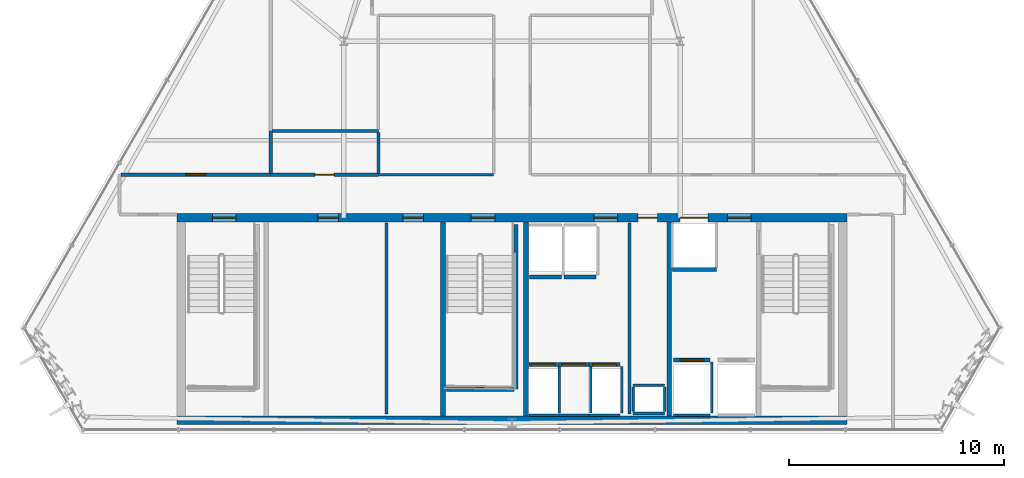
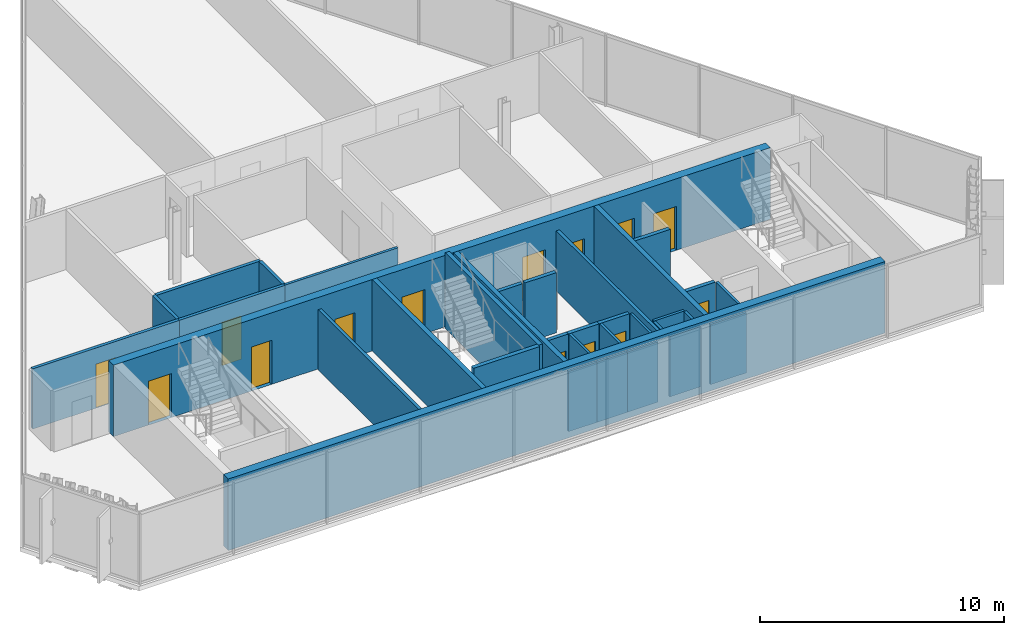
# One storey, part 29 of 34: 34 walls, 14 doors, 14 openings.
"""IFC4 building model written with IfcOpenShell, lengths in metres."""

from ifc_helpers import new_model, si_unit, direction, frame, frame_2d, origin, place, context, subcontext, project, spatial, rectangle, extrude, material, layer, layer_set, type_object, element, fill, save


model = new_model("IFC4")

# Units and contexts
model_context = context("Model", 3, precision=1e-05, world=origin(), true_north=direction((0.0, 1.0)))
body_context = subcontext(model_context, "Body", "Model", "MODEL_VIEW")
ifc_project = project(units=[si_unit("LENGTHUNIT", "METRE"), si_unit("AREAUNIT", "SQUARE_METRE"), si_unit("VOLUMEUNIT", "CUBIC_METRE"), si_unit("PLANEANGLEUNIT", "RADIAN"), si_unit("MASSUNIT", "GRAM", prefix="KILO")], contexts=[model_context])

# Site, building, storey
site_placement = place(None, origin())
site = spatial("IfcSite", under=ifc_project, at=site_placement, CompositionType="ELEMENT")
building_placement = place(site_placement, origin())
building = spatial("IfcBuilding", under=site, at=building_placement, Name="Ndaravel Arena Tower", CompositionType="ELEMENT")
storey_placement = place(building_placement, frame((0.0, 0.0, 267.39990234375)))
storey = spatial("IfcBuildingStorey", under=building, at=storey_placement, Name="L65", CompositionType="ELEMENT", Elevation=267.39990234375)

# Walls
ifc_material_1 = material(Name="Gypsum", Category="gypsum")
ifc_layer_1 = layer(ifc_material_1, 0.14990234375)
ifc_layer_set_1 = layer_set([ifc_layer_1], Name="Gypsum")
wall_type_1 = type_object("IfcWallType", Name="WALL-COMP-150", PredefinedType="PARTITIONING", material=ifc_layer_set_1)
for number, where, z_axis, x_axis, name in (
    (1, (47.449951171875, 5.89990234375, 0.0), (0.0, 0.0, 1.0), (0.0, 1.0, 0.0), "L65 Core Riser Bay Partition"),
    (2, (36.179931640625, 5.89990234375, 0.0), (0.0, 0.0, 1.0), (0.0, 1.0, 0.0), "L65 High-Zone Core Divider 1"),
):
    element("IfcWall", number, at=place(storey_placement, frame(where, z_axis=z_axis, x_axis=x_axis)), inside=storey, type_object=wall_type_1, Name=name, PredefinedType="PARTITIONING", context=body_context, shape_type="SweptSolid", body=[
        extrude(rectangle(XDim=8.85009765625, YDim=0.14990234375, at=frame_2d((4.425048828125, 0.0))), origin(), (0.0, 0.0, 1.0), 3.010498046875),
    ])
ifc_material_2 = material(Name="Concrete C50/60", Category="concrete")
ifc_layer_2 = layer(ifc_material_2, 0.219970703125)
ifc_layer_set_2 = layer_set([ifc_layer_2], Name="Concrete C50/60")
wall_type_2 = type_object("IfcWallType", Name="WALL-CORE-220", PredefinedType="SOLIDWALL", material=ifc_layer_set_2)
for number, where, z_axis, x_axis, name in (
    (3, (38.800048828125, 5.800048828125, 0.0), (0.0, 0.0, 1.0), (0.0, 1.0, 0.0), "L65 Core Web Shear Wall 2"),
    (4, (42.64990234375, 5.800048828125, 0.0), (0.0, 0.0, 1.0), (0.0, 1.0, 0.0), "L65 Core Web Shear Wall 3"),
    (5, (49.300048828125, 5.800048828125, 0.0), (0.0, 0.0, 1.0), (0.0, 1.0, 0.0), "L65 Core Web Shear Wall 4"),
):
    element("IfcWall", number, at=place(storey_placement, frame(where, z_axis=z_axis, x_axis=x_axis)), inside=storey, type_object=wall_type_2, Name=name, PredefinedType="SOLIDWALL", context=body_context, shape_type="SweptSolid", body=[
        extrude(rectangle(XDim=9.0, YDim=0.219970703125, at=frame_2d((4.5, 0.0))), origin(), (0.0, 0.0, 1.0), 3.580078125),
    ])

# Wall, openings, doors
ifc_material_3 = material(Name="Concrete C50/60", Category="concrete")
ifc_layer_3 = layer(ifc_material_3, 0.39990234375)
ifc_layer_set_3 = layer_set([ifc_layer_3], Name="Concrete C50/60")
wall_type_3 = type_object("IfcWallType", Name="WALL-CORE-400", PredefinedType="SOLIDWALL", material=ifc_layer_set_3)
wall_1_placement = place(storey_placement, frame((26.449951171875, 15.0, 0.0), z_axis=(0.0, 0.0, 1.0), x_axis=(1.0, 0.0, 0.0)))
wall_1 = element("IfcWall", 6, at=wall_1_placement, inside=storey, type_object=wall_type_3, Name="L65 Core North Shear Wall", PredefinedType="SOLIDWALL", context=body_context, shape_type="SweptSolid", body=[
    extrude(rectangle(XDim=31.10009765625, YDim=0.39990234375, at=frame_2d((15.550048828125, 0.0))), origin(), (0.0, 0.0, 1.0), 3.580078125),
])
opening_1_placement = place(wall_1_placement, frame((1.64990234375, 0.0, 0.0)))
opening_1 = element("IfcOpeningElement", 7, at=opening_1_placement, cuts=wall_1, Name="Opening FD-01", PredefinedType="OPENING", context=body_context, shape_type="SweptSolid", body=[
    extrude(rectangle(XDim=1.10009765625, YDim=2.199951171875, at=frame_2d((0.550048828125, 1.10009765625))), frame((0.0, 0.199951171875, 0.0), z_axis=(0.0, -1.0, 0.0), x_axis=(1.0, 0.0, 0.0)), (0.0, 0.0, 1.0), 0.39990234375),
])
opening_2_placement = place(wall_1_placement, frame((13.64990234375, 0.0, 0.0)))
opening_2 = element("IfcOpeningElement", 8, at=opening_2_placement, cuts=wall_1, Name="Opening FD-01", PredefinedType="OPENING", context=body_context, shape_type="SweptSolid", body=[
    extrude(rectangle(XDim=1.10009765625, YDim=2.199951171875, at=frame_2d((0.550048828125, 1.10009765625))), frame((0.0, 0.199951171875, 0.0), z_axis=(0.0, -1.0, 0.0), x_axis=(1.0, 0.0, 0.0)), (0.0, 0.0, 1.0), 0.39990234375),
])
opening_3_placement = place(wall_1_placement, frame((25.550048828125, 0.0, 0.0)))
opening_3 = element("IfcOpeningElement", 9, at=opening_3_placement, cuts=wall_1, Name="Opening FD-01", PredefinedType="OPENING", context=body_context, shape_type="SweptSolid", body=[
    extrude(rectangle(XDim=1.10009765625, YDim=2.199951171875, at=frame_2d((0.550048828125, 1.10009765625))), frame((0.0, 0.199951171875, 0.0), z_axis=(0.0, -1.0, 0.0), x_axis=(1.0, 0.0, 0.0)), (0.0, 0.0, 1.0), 0.39990234375),
])
opening_4_placement = place(wall_1_placement, frame((19.35009765625, 0.0, 0.0)))
opening_4 = element("IfcOpeningElement", 10, at=opening_4_placement, cuts=wall_1, Name="Opening FD-01", PredefinedType="OPENING", context=body_context, shape_type="SweptSolid", body=[
    extrude(rectangle(XDim=1.10009765625, YDim=2.199951171875, at=frame_2d((0.550048828125, 1.10009765625))), frame((0.0, 0.199951171875, 0.0), z_axis=(0.0, -1.0, 0.0), x_axis=(1.0, 0.0, 0.0)), (0.0, 0.0, 1.0), 0.39990234375),
])
opening_5_placement = place(wall_1_placement, frame((21.39990234375, 0.0, 0.0)))
opening_5 = element("IfcOpeningElement", 11, at=opening_5_placement, cuts=wall_1, Name="Opening RD-01", PredefinedType="OPENING", context=body_context, shape_type="SweptSolid", body=[
    extrude(rectangle(XDim=0.89990234375, YDim=2.10009765625, at=frame_2d((0.449951171875, 1.050048828125))), frame((0.0, 0.199951171875, 0.0), z_axis=(0.0, -1.0, 0.0), x_axis=(1.0, 0.0, 0.0)), (0.0, 0.0, 1.0), 0.39990234375),
])
opening_6_placement = place(wall_1_placement, frame((6.5400390625, 0.0, 0.0)))
opening_6 = element("IfcOpeningElement", 12, at=opening_6_placement, cuts=wall_1, Name="Opening FD-03", PredefinedType="OPENING", context=body_context, shape_type="SweptSolid", body=[
    extrude(rectangle(XDim=0.949951171875, YDim=2.199951171875, at=frame_2d((0.47509765625, 1.10009765625))), frame((0.0, 0.199951171875, 0.0), z_axis=(0.0, -1.0, 0.0), x_axis=(1.0, 0.0, 0.0)), (0.0, 0.0, 1.0), 0.39990234375),
])
opening_7_placement = place(wall_1_placement, frame((10.489990234375, 0.0, 0.0)))
opening_7 = element("IfcOpeningElement", 13, at=opening_7_placement, cuts=wall_1, Name="Opening FD-03", PredefinedType="OPENING", context=body_context, shape_type="SweptSolid", body=[
    extrude(rectangle(XDim=0.949951171875, YDim=2.199951171875, at=frame_2d((0.47509765625, 1.10009765625))), frame((0.0, 0.199951171875, 0.0), z_axis=(0.0, -1.0, 0.0), x_axis=(1.0, 0.0, 0.0)), (0.0, 0.0, 1.0), 0.39990234375),
])
opening_8_placement = place(wall_1_placement, frame((23.35009765625, 0.0, 0.0)))
opening_8 = element("IfcOpeningElement", 14, at=opening_8_placement, cuts=wall_1, Name="Opening LD-02", PredefinedType="OPENING", context=body_context, shape_type="SweptSolid", body=[
    extrude(rectangle(XDim=1.300048828125, YDim=2.300048828125, at=frame_2d((0.64990234375, 1.14990234375))), frame((0.0, 0.199951171875, 0.0), z_axis=(0.0, -1.0, 0.0), x_axis=(1.0, 0.0, 0.0)), (0.0, 0.0, 1.0), 0.39990234375),
])
ifc_material_4 = material(Name="Steel S355", Category="steel")
door_type_1 = type_object("IfcDoorType", Name="DT-01-STAIR-1100", OperationType="SINGLE_SWING_LEFT", PredefinedType="DOOR", material=ifc_material_4)
door_1_placement = place(opening_1_placement, origin())
door_1 = element("IfcDoor", 15, at=door_1_placement, inside=storey, type_object=door_type_1, Name="L65 Exit Stair ST-1 Door", OperationType="SINGLE_SWING_RIGHT", OverallHeight=2.199951171875, OverallWidth=1.10009765625, PredefinedType="DOOR", context=body_context, shape_type="SweptSolid", body=[
    extrude(rectangle(XDim=1.10009765625, YDim=2.199951171875, at=frame_2d((0.550048828125, 1.10009765625))), frame((0.0, 0.02490234375, 0.0), z_axis=(0.0, -1.0, 0.0), x_axis=(1.0, 0.0, 0.0)), (0.0, 0.0, 1.0), 0.050048828125),
])
fill(opening_1, door_1)
door_2_placement = place(opening_2_placement, origin())
door_2 = element("IfcDoor", 16, at=door_2_placement, inside=storey, type_object=door_type_1, Name="L65 Exit Stair ST-2 Door", OperationType="SINGLE_SWING_LEFT", OverallHeight=2.199951171875, OverallWidth=1.10009765625, PredefinedType="DOOR", context=body_context, shape_type="SweptSolid", body=[
    extrude(rectangle(XDim=1.10009765625, YDim=2.199951171875, at=frame_2d((0.550048828125, 1.10009765625))), frame((0.0, 0.02490234375, 0.0), z_axis=(0.0, -1.0, 0.0), x_axis=(1.0, 0.0, 0.0)), (0.0, 0.0, 1.0), 0.050048828125),
])
fill(opening_2, door_2)
door_3_placement = place(opening_3_placement, origin())
door_3 = element("IfcDoor", 17, at=door_3_placement, inside=storey, type_object=door_type_1, Name="L65 Firefighting Lift Lobby Door", OperationType="SINGLE_SWING_RIGHT", OverallHeight=2.199951171875, OverallWidth=1.10009765625, PredefinedType="DOOR", context=body_context, shape_type="SweptSolid", body=[
    extrude(rectangle(XDim=1.10009765625, YDim=2.199951171875, at=frame_2d((0.550048828125, 1.10009765625))), frame((0.0, 0.02490234375, 0.0), z_axis=(0.0, -1.0, 0.0), x_axis=(1.0, 0.0, 0.0)), (0.0, 0.0, 1.0), 0.050048828125),
])
fill(opening_3, door_3)
door_4_placement = place(opening_4_placement, origin())
door_4 = element("IfcDoor", 18, at=door_4_placement, inside=storey, type_object=door_type_1, Name="L65 Express Lift Lobby Entry Door", OperationType="SINGLE_SWING_LEFT", OverallHeight=2.199951171875, OverallWidth=1.10009765625, PredefinedType="DOOR", context=body_context, shape_type="SweptSolid", body=[
    extrude(rectangle(XDim=1.10009765625, YDim=2.199951171875, at=frame_2d((0.550048828125, 1.10009765625))), frame((0.0, 0.02490234375, 0.0), z_axis=(0.0, -1.0, 0.0), x_axis=(1.0, 0.0, 0.0)), (0.0, 0.0, 1.0), 0.050048828125),
])
fill(opening_4, door_4)
ifc_material_5 = material(Name="Steel S355", Category="steel")
door_type_2 = type_object("IfcDoorType", Name="DT-07-SVLIFT-1300", OperationType="DOUBLE_DOOR_SLIDING", PredefinedType="DOOR", material=ifc_material_5)
door_5_placement = place(opening_8_placement, origin())
door_5 = element("IfcDoor", 19, at=door_5_placement, inside=storey, type_object=door_type_2, Name="L65 Lift SVL-1 Sliding Landing Door", OperationType="DOUBLE_DOOR_SLIDING", OverallHeight=2.300048828125, OverallWidth=1.300048828125, PredefinedType="DOOR", context=body_context, shape_type="SweptSolid", body=[
    extrude(rectangle(XDim=1.300048828125, YDim=2.300048828125, at=frame_2d((0.64990234375, 1.14990234375))), frame((0.0, 0.02490234375, 0.0), z_axis=(0.0, -1.0, 0.0), x_axis=(1.0, 0.0, 0.0)), (0.0, 0.0, 1.0), 0.050048828125),
])
fill(opening_8, door_5)
ifc_material_6 = material(Name="Steel S355", Category="steel")
door_type_3 = type_object("IfcDoorType", Name="DT-08-RISER-900", OperationType="SINGLE_SWING_LEFT", PredefinedType="DOOR", material=ifc_material_6)
door_6_placement = place(opening_5_placement, origin())
door_6 = element("IfcDoor", 20, at=door_6_placement, inside=storey, type_object=door_type_3, Name="L65 Core Service Riser North Door", OperationType="SINGLE_SWING_LEFT", OverallHeight=2.10009765625, OverallWidth=0.89990234375, PredefinedType="DOOR", context=body_context, shape_type="SweptSolid", body=[
    extrude(rectangle(XDim=0.89990234375, YDim=2.10009765625, at=frame_2d((0.449951171875, 1.050048828125))), frame((0.0, 0.02490234375, 0.0), z_axis=(0.0, -1.0, 0.0), x_axis=(1.0, 0.0, 0.0)), (0.0, 0.0, 1.0), 0.050048828125),
])
fill(opening_5, door_6)
ifc_material_7 = material(Name="Steel S355", Category="steel")
door_type_4 = type_object("IfcDoorType", Name="DT-11-CORE-950", OperationType="SINGLE_SWING_LEFT", PredefinedType="DOOR", material=ifc_material_7)
door_7_placement = place(opening_6_placement, origin())
door_7 = element("IfcDoor", 21, at=door_7_placement, inside=storey, type_object=door_type_4, Name="L65 High-Zone Reclaimed Core Room 1 Door", OperationType="SINGLE_SWING_LEFT", OverallHeight=2.199951171875, OverallWidth=0.949951171875, PredefinedType="DOOR", context=body_context, shape_type="SweptSolid", body=[
    extrude(rectangle(XDim=0.949951171875, YDim=2.199951171875, at=frame_2d((0.47509765625, 1.10009765625))), frame((0.0, 0.02490234375, 0.0), z_axis=(0.0, -1.0, 0.0), x_axis=(1.0, 0.0, 0.0)), (0.0, 0.0, 1.0), 0.050048828125),
])
fill(opening_6, door_7)
door_8_placement = place(opening_7_placement, origin())
door_8 = element("IfcDoor", 22, at=door_8_placement, inside=storey, type_object=door_type_4, Name="L65 High-Zone Reclaimed Core Room 2 Door", OperationType="SINGLE_SWING_RIGHT", OverallHeight=2.199951171875, OverallWidth=0.949951171875, PredefinedType="DOOR", context=body_context, shape_type="SweptSolid", body=[
    extrude(rectangle(XDim=0.949951171875, YDim=2.199951171875, at=frame_2d((0.47509765625, 1.10009765625))), frame((0.0, 0.02490234375, 0.0), z_axis=(0.0, -1.0, 0.0), x_axis=(1.0, 0.0, 0.0)), (0.0, 0.0, 1.0), 0.050048828125),
])
fill(opening_7, door_8)

# Walls
wall_2_placement = place(storey_placement, frame((26.449951171875, 5.60009765625, 0.0), z_axis=(0.0, 0.0, 1.0), x_axis=(1.0, 0.0, 0.0)))
element("IfcWall", 23, at=wall_2_placement, inside=storey, type_object=wall_type_3, Name="L65 Core South Shear Wall", PredefinedType="SOLIDWALL", context=body_context, shape_type="SweptSolid", body=[
    extrude(rectangle(XDim=31.10009765625, YDim=0.39990234375, at=frame_2d((15.550048828125, 0.0))), origin(), (0.0, 0.0, 1.0), 3.580078125),
])
ifc_material_8 = material(Name="Gypsum", Category="gypsum")
ifc_layer_4 = layer(ifc_material_8, 0.125)
ifc_layer_set_4 = layer_set([ifc_layer_4], Name="Gypsum")
wall_type_4 = type_object("IfcWallType", Name="WALL-PART-125", PredefinedType="PARTITIONING", material=ifc_layer_set_4)
wall_3_placement = place(storey_placement, frame((35.800048828125, 17.0, 0.0), z_axis=(0.0, 0.0, 1.0), x_axis=(1.0, 0.0, 0.0)))
element("IfcWall", 24, at=wall_3_placement, inside=storey, type_object=wall_type_4, Name="L65 Interior Partition 007", PredefinedType="PARTITIONING", context=body_context, shape_type="SweptSolid", body=[
    extrude(rectangle(XDim=5.349853515625, YDim=0.125, at=frame_2d((2.6748046875, 0.0))), origin(), (0.0, 0.0, 1.0), 3.010498046875),
])
ifc_material_9 = material(Name="Concrete C40/50", Category="concrete")
ifc_layer_5 = layer(ifc_material_9, 0.1201171875)
ifc_layer_set_5 = layer_set([ifc_layer_5], Name="Concrete C40/50")
wall_type_5 = type_object("IfcWallType", Name="WALL-SHAFT-120", PredefinedType="SOLIDWALL", material=ifc_layer_set_5)
for number, where, z_axis, x_axis, name in (
    (25, (47.6201171875, 5.919921875, 0.0), (0.0, 0.0, 1.0), (1.0, 0.0, 0.0), "L65 MEP Riser Shaft S Wall"),
    (26, (47.6201171875, 7.219970703125, 0.0), (0.0, 0.0, 1.0), (1.0, 0.0, 0.0), "L65 MEP Riser Shaft N Wall"),
):
    element("IfcWall", number, at=place(storey_placement, frame(where, z_axis=z_axis, x_axis=x_axis)), inside=storey, type_object=wall_type_5, Name=name, PredefinedType="SOLIDWALL", context=body_context, shape_type="SweptSolid", body=[
        extrude(rectangle(XDim=1.4599609375, YDim=0.1201171875, at=frame_2d((0.72998046875, 0.0))), origin(), (0.0, 0.0, 1.0), 3.010498046875),
    ])
for number, where, z_axis, x_axis, name in (
    (27, (47.6201171875, 6.0, 0.0), (0.0, 0.0, 1.0), (0.0, 1.0, 0.0), "L65 MEP Riser Shaft W Wall"),
    (28, (49.080078125, 6.0, 0.0), (0.0, 0.0, 1.0), (0.0, 1.0, 0.0), "L65 MEP Riser Shaft E Wall"),
):
    element("IfcWall", number, at=place(storey_placement, frame(where, z_axis=z_axis, x_axis=x_axis)), inside=storey, type_object=wall_type_5, Name=name, PredefinedType="SOLIDWALL", context=body_context, shape_type="SweptSolid", body=[
        extrude(rectangle(XDim=1.139892578125, YDim=0.1201171875, at=frame_2d((0.56982421875, 0.0))), origin(), (0.0, 0.0, 1.0), 3.010498046875),
    ])
wall_4_placement = place(storey_placement, frame((42.780029296875, 5.840087890625, 0.0), z_axis=(0.0, 0.0, 1.0), x_axis=(1.0, 0.0, 0.0)))
element("IfcWall", 29, at=wall_4_placement, inside=storey, type_object=wall_type_5, Name="L65 PL-H1 Shaft Rear Wall", PredefinedType="SOLIDWALL", context=body_context, shape_type="SweptSolid", body=[
    extrude(rectangle(XDim=1.340087890625, YDim=0.1201171875, at=frame_2d((0.669921875, 0.0))), origin(), (0.0, 0.0, 1.0), 3.010498046875),
])
wall_5_placement = place(storey_placement, frame((44.199951171875, 5.929931640625, 0.0), z_axis=(0.0, 0.0, 1.0), x_axis=(0.0, 1.0, 0.0)))
element("IfcWall", 30, at=wall_5_placement, inside=storey, type_object=wall_type_5, Name="L65 PL-H1 Shaft Side R Wall", PredefinedType="SOLIDWALL", context=body_context, shape_type="SweptSolid", body=[
    extrude(rectangle(XDim=2.18017578125, YDim=0.1201171875, at=frame_2d((1.090087890625, 0.0))), origin(), (0.0, 0.0, 1.0), 3.010498046875),
])
wall_6_placement = place(storey_placement, frame((44.1298828125, 5.840087890625, 0.0), z_axis=(0.0, 0.0, 1.0), x_axis=(1.0, 0.0, 0.0)))
element("IfcWall", 31, at=wall_6_placement, inside=storey, type_object=wall_type_5, Name="L65 PL-H2 Shaft Rear Wall", PredefinedType="SOLIDWALL", context=body_context, shape_type="SweptSolid", body=[
    extrude(rectangle(XDim=1.440185546875, YDim=0.1201171875, at=frame_2d((0.72021484375, 0.0))), origin(), (0.0, 0.0, 1.0), 3.010498046875),
])
wall_7_placement = place(storey_placement, frame((45.64990234375, 5.929931640625, 0.0), z_axis=(0.0, 0.0, 1.0), x_axis=(0.0, 1.0, 0.0)))
element("IfcWall", 32, at=wall_7_placement, inside=storey, type_object=wall_type_5, Name="L65 PL-H2 Shaft Side R Wall", PredefinedType="SOLIDWALL", context=body_context, shape_type="SweptSolid", body=[
    extrude(rectangle(XDim=2.18017578125, YDim=0.1201171875, at=frame_2d((1.090087890625, 0.0))), origin(), (0.0, 0.0, 1.0), 3.010498046875),
])
wall_8_placement = place(storey_placement, frame((45.580078125, 5.840087890625, 0.0), z_axis=(0.0, 0.0, 1.0), x_axis=(1.0, 0.0, 0.0)))
element("IfcWall", 33, at=wall_8_placement, inside=storey, type_object=wall_type_5, Name="L65 PL-H3 Shaft Rear Wall", PredefinedType="SOLIDWALL", context=body_context, shape_type="SweptSolid", body=[
    extrude(rectangle(XDim=1.43994140625, YDim=0.1201171875, at=frame_2d((0.719970703125, 0.0))), origin(), (0.0, 0.0, 1.0), 3.010498046875),
])
wall_9_placement = place(storey_placement, frame((47.10009765625, 5.929931640625, 0.0), z_axis=(0.0, 0.0, 1.0), x_axis=(0.0, 1.0, 0.0)))
element("IfcWall", 34, at=wall_9_placement, inside=storey, type_object=wall_type_5, Name="L65 PL-H3 Shaft Side R Wall", PredefinedType="SOLIDWALL", context=body_context, shape_type="SweptSolid", body=[
    extrude(rectangle(XDim=2.18017578125, YDim=0.1201171875, at=frame_2d((1.090087890625, 0.0))), origin(), (0.0, 0.0, 1.0), 3.010498046875),
])
wall_10_placement = place(storey_placement, frame((49.5048828125, 5.840087890625, 0.0), z_axis=(0.0, 0.0, 1.0), x_axis=(1.0, 0.0, 0.0)))
element("IfcWall", 35, at=wall_10_placement, inside=storey, type_object=wall_type_5, Name="L65 FFL-1 Shaft Rear Wall", PredefinedType="SOLIDWALL", context=body_context, shape_type="SweptSolid", body=[
    extrude(rectangle(XDim=1.690185546875, YDim=0.1201171875, at=frame_2d((0.84521484375, 0.0))), origin(), (0.0, 0.0, 1.0), 3.010498046875),
])
wall_11_placement = place(storey_placement, frame((51.27490234375, 5.929931640625, 0.0), z_axis=(0.0, 0.0, 1.0), x_axis=(0.0, 1.0, 0.0)))
element("IfcWall", 36, at=wall_11_placement, inside=storey, type_object=wall_type_5, Name="L65 FFL-1 Shaft Side R Wall", PredefinedType="SOLIDWALL", context=body_context, shape_type="SweptSolid", body=[
    extrude(rectangle(XDim=2.380126953125, YDim=0.1201171875, at=frame_2d((1.18994140625, 0.0))), origin(), (0.0, 0.0, 1.0), 3.010498046875),
])
ifc_material_10 = material(Name="Concrete C40/50", Category="concrete")
ifc_layer_6 = layer(ifc_material_10, 0.199951171875)
ifc_layer_set_6 = layer_set([ifc_layer_6], Name="Concrete C40/50")
wall_type_6 = type_object("IfcWallType", Name="WALL-SHAFT-200", PredefinedType="SOLIDWALL", material=ifc_layer_set_6)
wall_12_placement = place(storey_placement, frame((42.18994140625, 14.699951171875, 0.0), z_axis=(0.0, 0.0, 1.0), x_axis=(0.0, -1.0, 0.0)))
element("IfcWall", 37, at=wall_12_placement, inside=storey, type_object=wall_type_6, Name="L65 ST-2 Structural Shaft Wall Right", PredefinedType="SOLIDWALL", context=body_context, shape_type="SweptSolid", body=[
    extrude(rectangle(XDim=7.64990234375, YDim=0.199951171875, at=frame_2d((3.824951171875, 0.0))), origin(), (0.0, 0.0, 1.0), 3.800048828125),
])
wall_13_placement = place(storey_placement, frame((38.969970703125, 7.050048828125, 0.0), z_axis=(0.0, 0.0, 1.0), x_axis=(1.0, 0.0, 0.0)))
element("IfcWall", 38, at=wall_13_placement, inside=storey, type_object=wall_type_6, Name="L65 ST-2 Structural Shaft Wall Far", PredefinedType="SOLIDWALL", context=body_context, shape_type="SweptSolid", body=[
    extrude(rectangle(XDim=3.114990234375, YDim=0.199951171875, at=frame_2d((1.5576171875, 0.0))), origin(), (0.0, 0.0, 1.0), 3.800048828125),
])

# Wall, opening, door
wall_14_placement = place(storey_placement, frame((42.780029296875, 8.199951171875, 0.0), z_axis=(0.0, 0.0, 1.0), x_axis=(1.0, 0.0, 0.0)))
wall_14 = element("IfcWall", 39, at=wall_14_placement, inside=storey, type_object=wall_type_6, Name="L65 PL-H1 Shaft Landing Wall", PredefinedType="SOLIDWALL", context=body_context, shape_type="SweptSolid", body=[
    extrude(rectangle(XDim=1.340087890625, YDim=0.179931640625, at=frame_2d((0.669921875, 0.0))), origin(), (0.0, 0.0, 1.0), 3.010498046875),
])
opening_9_placement = place(wall_14_placement, frame((0.1201171875, 0.0, 0.0)))
opening_9 = element("IfcOpeningElement", 40, at=opening_9_placement, cuts=wall_14, Name="Opening LD-01", PredefinedType="OPENING", context=body_context, shape_type="SweptSolid", body=[
    extrude(rectangle(XDim=1.10009765625, YDim=2.199951171875, at=frame_2d((0.550048828125, 1.10009765625))), frame((0.0, 0.08984375, 0.0), z_axis=(0.0, -1.0, 0.0), x_axis=(1.0, 0.0, 0.0)), (0.0, 0.0, 1.0), 0.179931640625),
])
ifc_material_11 = material(Name="Steel S355", Category="steel")
door_type_5 = type_object("IfcDoorType", Name="DT-06-LIFT-1100", OperationType="SLIDING_TO_LEFT", PredefinedType="DOOR", material=ifc_material_11)
door_9_placement = place(opening_9_placement, origin())
door_9 = element("IfcDoor", 41, at=door_9_placement, inside=storey, type_object=door_type_5, Name="L65 Lift PL-H1 Sliding Landing Door", OperationType="SLIDING_TO_LEFT", OverallHeight=2.199951171875, OverallWidth=1.10009765625, PredefinedType="DOOR", context=body_context, shape_type="SweptSolid", body=[
    extrude(rectangle(XDim=1.10009765625, YDim=2.199951171875, at=frame_2d((0.550048828125, 1.10009765625))), frame((0.0, 0.02490234375, 0.0), z_axis=(0.0, -1.0, 0.0), x_axis=(1.0, 0.0, 0.0)), (0.0, 0.0, 1.0), 0.050048828125),
])
fill(opening_9, door_9)

wall_15_placement = place(storey_placement, frame((44.1298828125, 8.199951171875, 0.0), z_axis=(0.0, 0.0, 1.0), x_axis=(1.0, 0.0, 0.0)))
wall_15 = element("IfcWall", 42, at=wall_15_placement, inside=storey, type_object=wall_type_6, Name="L65 PL-H2 Shaft Landing Wall", PredefinedType="SOLIDWALL", context=body_context, shape_type="SweptSolid", body=[
    extrude(rectangle(XDim=1.440185546875, YDim=0.179931640625, at=frame_2d((0.72021484375, 0.0))), origin(), (0.0, 0.0, 1.0), 3.010498046875),
])
opening_10_placement = place(wall_15_placement, frame((0.169921875, 0.0, 0.0)))
opening_10 = element("IfcOpeningElement", 43, at=opening_10_placement, cuts=wall_15, Name="Opening LD-01", PredefinedType="OPENING", context=body_context, shape_type="SweptSolid", body=[
    extrude(rectangle(XDim=1.10009765625, YDim=2.199951171875, at=frame_2d((0.550048828125, 1.10009765625))), frame((0.0, 0.08984375, 0.0), z_axis=(0.0, -1.0, 0.0), x_axis=(1.0, 0.0, 0.0)), (0.0, 0.0, 1.0), 0.179931640625),
])
door_10_placement = place(opening_10_placement, origin())
door_10 = element("IfcDoor", 44, at=door_10_placement, inside=storey, type_object=door_type_5, Name="L65 Lift PL-H2 Sliding Landing Door", OperationType="SLIDING_TO_LEFT", OverallHeight=2.199951171875, OverallWidth=1.10009765625, PredefinedType="DOOR", context=body_context, shape_type="SweptSolid", body=[
    extrude(rectangle(XDim=1.10009765625, YDim=2.199951171875, at=frame_2d((0.550048828125, 1.10009765625))), frame((0.0, 0.02490234375, 0.0), z_axis=(0.0, -1.0, 0.0), x_axis=(1.0, 0.0, 0.0)), (0.0, 0.0, 1.0), 0.050048828125),
])
fill(opening_10, door_10)

wall_16_placement = place(storey_placement, frame((45.580078125, 8.199951171875, 0.0), z_axis=(0.0, 0.0, 1.0), x_axis=(1.0, 0.0, 0.0)))
wall_16 = element("IfcWall", 45, at=wall_16_placement, inside=storey, type_object=wall_type_6, Name="L65 PL-H3 Shaft Landing Wall", PredefinedType="SOLIDWALL", context=body_context, shape_type="SweptSolid", body=[
    extrude(rectangle(XDim=1.43994140625, YDim=0.179931640625, at=frame_2d((0.719970703125, 0.0))), origin(), (0.0, 0.0, 1.0), 3.010498046875),
])
opening_11_placement = place(wall_16_placement, frame((0.169921875, 0.0, 0.0)))
opening_11 = element("IfcOpeningElement", 46, at=opening_11_placement, cuts=wall_16, Name="Opening LD-01", PredefinedType="OPENING", context=body_context, shape_type="SweptSolid", body=[
    extrude(rectangle(XDim=1.10009765625, YDim=2.199951171875, at=frame_2d((0.550048828125, 1.10009765625))), frame((0.0, 0.08984375, 0.0), z_axis=(0.0, -1.0, 0.0), x_axis=(1.0, 0.0, 0.0)), (0.0, 0.0, 1.0), 0.179931640625),
])
door_11_placement = place(opening_11_placement, origin())
door_11 = element("IfcDoor", 47, at=door_11_placement, inside=storey, type_object=door_type_5, Name="L65 Lift PL-H3 Sliding Landing Door", OperationType="SLIDING_TO_LEFT", OverallHeight=2.199951171875, OverallWidth=1.10009765625, PredefinedType="DOOR", context=body_context, shape_type="SweptSolid", body=[
    extrude(rectangle(XDim=1.10009765625, YDim=2.199951171875, at=frame_2d((0.550048828125, 1.10009765625))), frame((0.0, 0.02490234375, 0.0), z_axis=(0.0, -1.0, 0.0), x_axis=(1.0, 0.0, 0.0)), (0.0, 0.0, 1.0), 0.050048828125),
])
fill(opening_11, door_11)

# Walls
for number, where, z_axis, x_axis, name in (
    (48, (42.804931640625, 12.25, 0.0), (0.0, 0.0, 1.0), (1.0, 0.0, 0.0), "L65 PL-OBS1 Shaft Landing Wall"),
    (49, (44.405029296875, 12.25, 0.0), (0.0, 0.0, 1.0), (1.0, 0.0, 0.0), "L65 PL-OBS2 Shaft Landing Wall"),
):
    element("IfcWall", number, at=place(storey_placement, frame(where, z_axis=z_axis, x_axis=x_axis)), inside=storey, type_object=wall_type_6, Name=name, PredefinedType="SOLIDWALL", context=body_context, shape_type="SweptSolid", body=[
        extrude(rectangle(XDim=1.489990234375, YDim=0.179931640625, at=frame_2d((0.7451171875, 0.0))), origin(), (0.0, 0.0, 1.0), 3.010498046875),
    ])

# Wall, opening, door
wall_17_placement = place(storey_placement, frame((49.5048828125, 8.39990234375, 0.0), z_axis=(0.0, 0.0, 1.0), x_axis=(1.0, 0.0, 0.0)))
wall_17 = element("IfcWall", 50, at=wall_17_placement, inside=storey, type_object=wall_type_6, Name="L65 FFL-1 Shaft Landing Wall", PredefinedType="SOLIDWALL", context=body_context, shape_type="SweptSolid", body=[
    extrude(rectangle(XDim=1.690185546875, YDim=0.179931640625, at=frame_2d((0.84521484375, 0.0))), origin(), (0.0, 0.0, 1.0), 3.010498046875),
])
opening_12_placement = place(wall_17_placement, frame((0.294921875, 0.0, 0.0)))
opening_12 = element("IfcOpeningElement", 51, at=opening_12_placement, cuts=wall_17, Name="Opening LD-01", PredefinedType="OPENING", context=body_context, shape_type="SweptSolid", body=[
    extrude(rectangle(XDim=1.10009765625, YDim=2.199951171875, at=frame_2d((0.550048828125, 1.10009765625))), frame((0.0, 0.08984375, 0.0), z_axis=(0.0, -1.0, 0.0), x_axis=(1.0, 0.0, 0.0)), (0.0, 0.0, 1.0), 0.179931640625),
])
door_12_placement = place(opening_12_placement, origin())
door_12 = element("IfcDoor", 52, at=door_12_placement, inside=storey, type_object=door_type_5, Name="L65 Lift FFL-1 Sliding Landing Door", OperationType="SLIDING_TO_LEFT", OverallHeight=2.199951171875, OverallWidth=1.10009765625, PredefinedType="DOOR", context=body_context, shape_type="SweptSolid", body=[
    extrude(rectangle(XDim=1.10009765625, YDim=2.199951171875, at=frame_2d((0.550048828125, 1.10009765625))), frame((0.0, 0.02490234375, 0.0), z_axis=(0.0, -1.0, 0.0), x_axis=(1.0, 0.0, 0.0)), (0.0, 0.0, 1.0), 0.050048828125),
])
fill(opening_12, door_12)

# Wall
wall_18_placement = place(storey_placement, frame((49.43994140625, 12.594970703125, 0.0), z_axis=(0.0, 0.0, 1.0), x_axis=(1.0, 0.0, 0.0)))
element("IfcWall", 53, at=wall_18_placement, inside=storey, type_object=wall_type_6, Name="L65 SVL-1 Shaft South Wall", PredefinedType="SOLIDWALL", context=body_context, shape_type="SweptSolid", body=[
    extrude(rectangle(XDim=2.0400390625, YDim=0.179931640625, at=frame_2d((1.02001953125, 0.0))), origin(), (0.0, 0.0, 1.0), 3.010498046875),
])

# Wall, opening, door
ifc_material_12 = material(Name="Masonry", Category="masonry")
ifc_layer_7 = layer(ifc_material_12, 0.14990234375)
ifc_layer_set_7 = layer_set([ifc_layer_7], Name="Masonry")
wall_type_7 = type_object("IfcWallType", Name="WALL-WET-150", PredefinedType="PARTITIONING", material=ifc_layer_set_7)
wall_19_placement = place(storey_placement, frame((23.84912109375, 17.0, 0.0), z_axis=(0.0, 0.0, 1.0), x_axis=(1.0, 0.0, 0.0)))
wall_19 = element("IfcWall", 54, at=wall_19_placement, inside=storey, type_object=wall_type_7, Name="L65 Interior Partition 005", PredefinedType="PARTITIONING", context=body_context, shape_type="SweptSolid", body=[
    extrude(rectangle(XDim=6.950927734375, YDim=0.14990234375, at=frame_2d((3.4755859375, 0.0))), origin(), (0.0, 0.0, 1.0), 3.010498046875),
])
opening_13_placement = place(wall_19_placement, frame((3.00048828125, 0.0, 0.0)))
opening_13 = element("IfcOpeningElement", 55, at=opening_13_placement, cuts=wall_19, Name="Opening FD-03", PredefinedType="OPENING", context=body_context, shape_type="SweptSolid", body=[
    extrude(rectangle(XDim=0.949951171875, YDim=2.199951171875, at=frame_2d((0.47509765625, 1.10009765625))), frame((0.0, 0.074951171875, 0.0), z_axis=(0.0, -1.0, 0.0), x_axis=(1.0, 0.0, 0.0)), (0.0, 0.0, 1.0), 0.14990234375),
])
door_13_placement = place(opening_13_placement, origin())
door_13 = element("IfcDoor", 56, at=door_13_placement, inside=storey, type_object=door_type_4, Name="L65 Catering Pantry 2 Door", OperationType="SINGLE_SWING_RIGHT", OverallHeight=2.199951171875, OverallWidth=0.949951171875, PredefinedType="DOOR", context=body_context, shape_type="SweptSolid", body=[
    extrude(rectangle(XDim=0.949951171875, YDim=2.199951171875, at=frame_2d((0.47509765625, 1.10009765625))), frame((0.0, 0.02490234375, 0.0), z_axis=(0.0, -1.0, 0.0), x_axis=(1.0, 0.0, 0.0)), (0.0, 0.0, 1.0), 0.050048828125),
])
fill(opening_13, door_13)

wall_20_placement = place(storey_placement, frame((30.800048828125, 17.0, 0.0), z_axis=(0.0, 0.0, 1.0), x_axis=(1.0, 0.0, 0.0)))
wall_20 = element("IfcWall", 57, at=wall_20_placement, inside=storey, type_object=wall_type_7, Name="L65 Interior Partition 006", PredefinedType="PARTITIONING", context=body_context, shape_type="SweptSolid", body=[
    extrude(rectangle(XDim=5.0, YDim=0.14990234375, at=frame_2d((2.5, 0.0))), origin(), (0.0, 0.0, 1.0), 3.010498046875),
])
opening_14_placement = place(wall_20_placement, frame((2.050048828125, 0.0, 0.0)))
opening_14 = element("IfcOpeningElement", 58, at=opening_14_placement, cuts=wall_20, Name="Opening WD-01", PredefinedType="OPENING", context=body_context, shape_type="SweptSolid", body=[
    extrude(rectangle(XDim=0.89990234375, YDim=2.14990234375, at=frame_2d((0.449951171875, 1.074951171875))), frame((0.0, 0.074951171875, 0.0), z_axis=(0.0, -1.0, 0.0), x_axis=(1.0, 0.0, 0.0)), (0.0, 0.0, 1.0), 0.14990234375),
])
ifc_material_13 = material(Name="Timber", Category="wood")
door_type_6 = type_object("IfcDoorType", Name="DT-05-WC-900", OperationType="SINGLE_SWING_LEFT", PredefinedType="DOOR", material=ifc_material_13)
door_14_placement = place(opening_14_placement, origin())
door_14 = element("IfcDoor", 59, at=door_14_placement, inside=storey, type_object=door_type_6, Name="L65 Female & Accessible Restroom Door", OperationType="SINGLE_SWING_LEFT", OverallHeight=2.14990234375, OverallWidth=0.89990234375, PredefinedType="DOOR", context=body_context, shape_type="SweptSolid", body=[
    extrude(rectangle(XDim=0.89990234375, YDim=2.14990234375, at=frame_2d((0.449951171875, 1.074951171875))), frame((0.0, 0.02490234375, 0.0), z_axis=(0.0, -1.0, 0.0), x_axis=(1.0, 0.0, 0.0)), (0.0, 0.0, 1.0), 0.050048828125),
])
fill(opening_14, door_14)

# Walls
wall_21_placement = place(storey_placement, frame((30.800048828125, 17.06494140625, 0.0), z_axis=(0.0, 0.0, 1.0), x_axis=(0.0, 1.0, 0.0)))
element("IfcWall", 60, at=wall_21_placement, inside=storey, type_object=wall_type_7, Name="L65 Interior Partition 023", PredefinedType="PARTITIONING", context=body_context, shape_type="SweptSolid", body=[
    extrude(rectangle(XDim=1.958984375, YDim=0.14990234375, at=frame_2d((0.9794921875, 0.0))), origin(), (0.0, 0.0, 1.0), 3.010498046875),
])
wall_22_placement = place(storey_placement, frame((30.864990234375, 19.02392578125, 0.0), z_axis=(0.0, 0.0, 1.0), x_axis=(1.0, 0.0, 0.0)))
element("IfcWall", 61, at=wall_22_placement, inside=storey, type_object=wall_type_7, Name="L65 Interior Partition 024", PredefinedType="PARTITIONING", context=body_context, shape_type="SweptSolid", body=[
    extrude(rectangle(XDim=4.93505859375, YDim=0.14990234375, at=frame_2d((2.467529296875, 0.0))), origin(), (0.0, 0.0, 1.0), 3.010498046875),
])
wall_23_placement = place(storey_placement, frame((35.800048828125, 18.958984375, 0.0), z_axis=(0.0, 0.0, 1.0), x_axis=(0.0, -1.0, 0.0)))
element("IfcWall", 62, at=wall_23_placement, inside=storey, type_object=wall_type_7, Name="L65 Interior Partition 025", PredefinedType="PARTITIONING", context=body_context, shape_type="SweptSolid", body=[
    extrude(rectangle(XDim=1.89404296875, YDim=0.14990234375, at=frame_2d((0.947021484375, 0.0))), origin(), (0.0, 0.0, 1.0), 3.010498046875),
])

save(model, "model.ifc")
